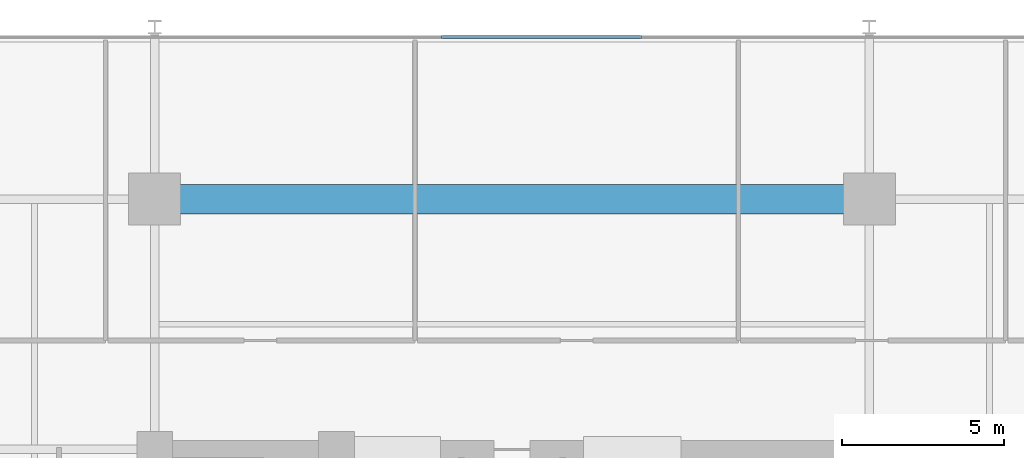
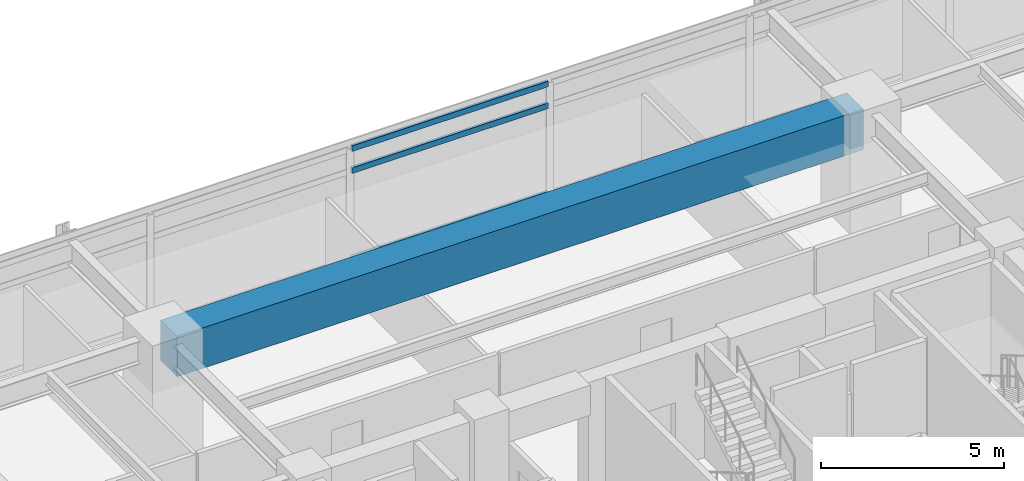
# One storey, part 9 of 21: 3 members, 1 beam, 1 element without a shape of its own.
"""IFC4 building model written with IfcOpenShell, lengths in metres."""

from ifc_helpers import new_model, si_unit, direction, frame, origin, origin_2d, place, context, subcontext, project, spatial, rectangle, hollow_rectangle, extrude, material, material_profile, profile_set, type_object, element, aggregate, save


model = new_model("IFC4")

# Units and contexts
model_context = context("Model", 3, precision=1e-05, world=origin(), true_north=direction((0.0, 1.0)))
body_context = subcontext(model_context, "Body", "Model", "MODEL_VIEW")
ifc_project = project(units=[si_unit("LENGTHUNIT", "METRE"), si_unit("AREAUNIT", "SQUARE_METRE"), si_unit("VOLUMEUNIT", "CUBIC_METRE"), si_unit("PLANEANGLEUNIT", "RADIAN"), si_unit("MASSUNIT", "GRAM", prefix="KILO")], contexts=[model_context])

# Site, building, storey
site_placement = place(None, origin())
site = spatial("IfcSite", under=ifc_project, at=site_placement, CompositionType="ELEMENT")
building_placement = place(site_placement, origin())
building = spatial("IfcBuilding", under=site, at=building_placement, Name="Kovane Verandah Tower", CompositionType="ELEMENT")
storey_placement = place(building_placement, frame((0.0, 0.0, 176.39990234375)))
storey = spatial("IfcBuildingStorey", under=building, at=storey_placement, Name="L41", CompositionType="ELEMENT", Elevation=176.39990234375)

# Beam
ifc_material_1 = material(Name="Concrete C80/95", Category="concrete")
ifc_material_profile_1 = material_profile(ifc_material_1, rectangle(XDim=0.89990234375, YDim=1.35009765625, at=origin_2d()), Name="RCB900x1350")
ifc_profile_set_1 = profile_set([ifc_material_profile_1], Name="Concrete C80/95")
beam_type = type_object("IfcBeamType", Name="BM-TR-900x1350", PredefinedType="BEAM", material=ifc_profile_set_1)
beam_placement = place(storey_placement, frame((29.179931640625, 44.199951171875, 3.10009765625), z_axis=(1.0, 0.0, 0.0), x_axis=(0.0, 1.0, 0.0)))
element("IfcBeam", 1, at=beam_placement, inside=storey, type_object=beam_type, Name="L41 Primary Tower Girder G-RN2", PredefinedType="BEAM", context=body_context, shape_type="SweptSolid", body=[
    extrude(rectangle(XDim=0.89990234375, YDim=1.35009765625, at=origin_2d()), origin(), (0.0, 0.0, 1.0), 21.64013671875),
])

# Curtain wall, members
ifc_material_2 = material(Name="Champagne Anodised Aluminium Frame with Low-E Clear Laminated Glass", Category="aluminium")
curtain_wall_type = type_object("IfcCurtainWallType", Name="CW-SYS-03-MID", PredefinedType="NOTDEFINED", material=ifc_material_2)
curtain_wall_placement = place(storey_placement, origin())
curtain_wall = element("IfcCurtainWall", 2, at=curtain_wall_placement, inside=storey, type_object=curtain_wall_type, Name="L41 N Unitised Curtain Wall", PredefinedType="NOTDEFINED")
ifc_material_3 = material(Name="Champagne Anodised Aluminium 6063-T6", Category="aluminium")
ifc_material_profile_2 = material_profile(ifc_material_3, hollow_rectangle(XDim=0.0849609375, YDim=0.18994140625, WallThickness=0.00390625, at=origin_2d()), Name="AL85x190x4")
ifc_profile_set_2 = profile_set([ifc_material_profile_2], Name="Champagne Anodised Aluminium 6063-T6")
member_type = type_object("IfcMemberType", Name="CW-TRN-85x190", PredefinedType="USERDEFINED", material=ifc_profile_set_2)
member_1_placement = place(storey_placement, frame((44.009521484375, 49.195068359375, 0.050048828125), z_axis=(-1.0, 0.0, 0.0), x_axis=(0.0, -1.0, 0.0)))
member_1 = element("IfcMember", 3, at=member_1_placement, type_object=member_type, Name="L41 N Unitised Curtain Wall Transom TB Bay 4", ObjectType="TRANSOM", PredefinedType="USERDEFINED", context=body_context, shape_type="SweptSolid", body=[
    extrude(hollow_rectangle(XDim=0.0849609375, YDim=0.18994140625, WallThickness=0.00390625, at=origin_2d()), origin(), (0.0, 0.0, 1.0), 6.198974609375),
])
member_2_placement = place(storey_placement, frame((44.009521484375, 49.195068359375, 2.9951171875), z_axis=(-1.0, 0.0, 0.0), x_axis=(0.0, -1.0, 0.0)))
member_2 = element("IfcMember", 4, at=member_2_placement, type_object=member_type, Name="L41 N Unitised Curtain Wall Transom TM Bay 4", ObjectType="TRANSOM", PredefinedType="USERDEFINED", context=body_context, shape_type="SweptSolid", body=[
    extrude(hollow_rectangle(XDim=0.0849609375, YDim=0.18994140625, WallThickness=0.00390625, at=origin_2d()), origin(), (0.0, 0.0, 1.0), 6.198974609375),
])
member_3_placement = place(storey_placement, frame((44.009521484375, 49.195068359375, 3.72509765625), z_axis=(-1.0, 0.0, 0.0), x_axis=(0.0, -1.0, 0.0)))
member_3 = element("IfcMember", 5, at=member_3_placement, type_object=member_type, Name="L41 N Unitised Curtain Wall Transom TT Bay 4", ObjectType="TRANSOM", PredefinedType="USERDEFINED", context=body_context, shape_type="SweptSolid", body=[
    extrude(hollow_rectangle(XDim=0.0849609375, YDim=0.18994140625, WallThickness=0.00390625, at=origin_2d()), origin(), (0.0, 0.0, 1.0), 6.198974609375),
])
aggregate(curtain_wall, [member_1, member_2, member_3])

save(model, "model.ifc")
